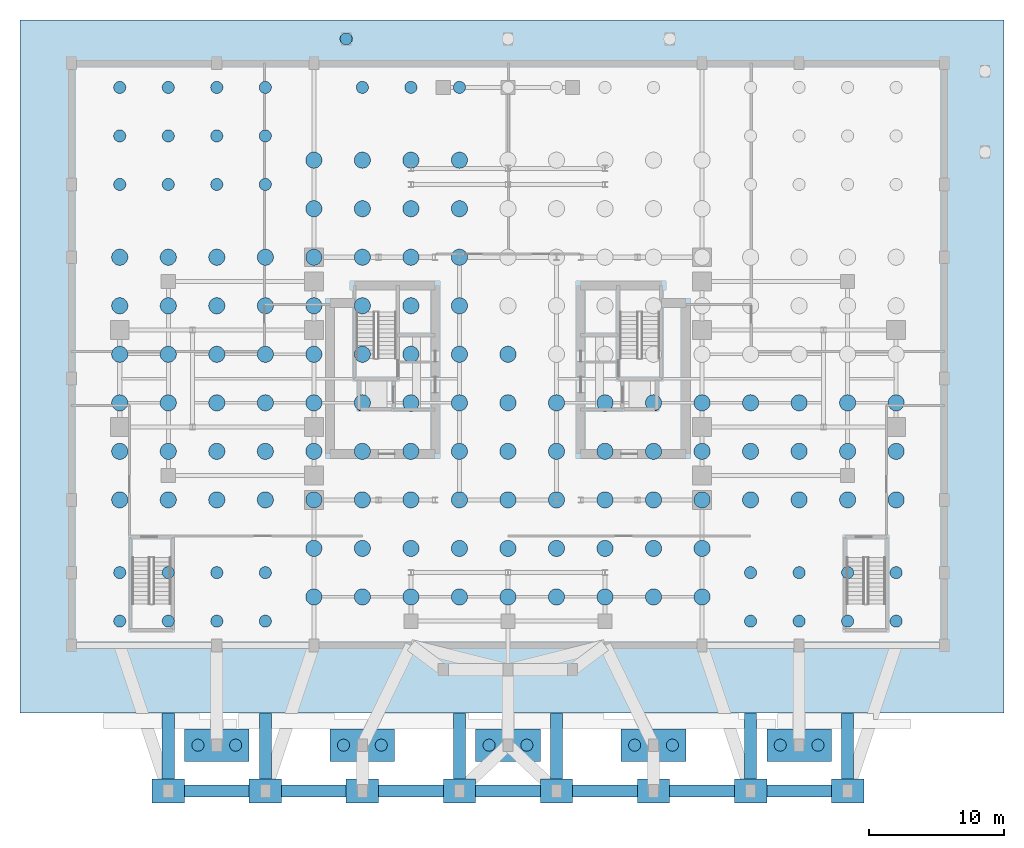
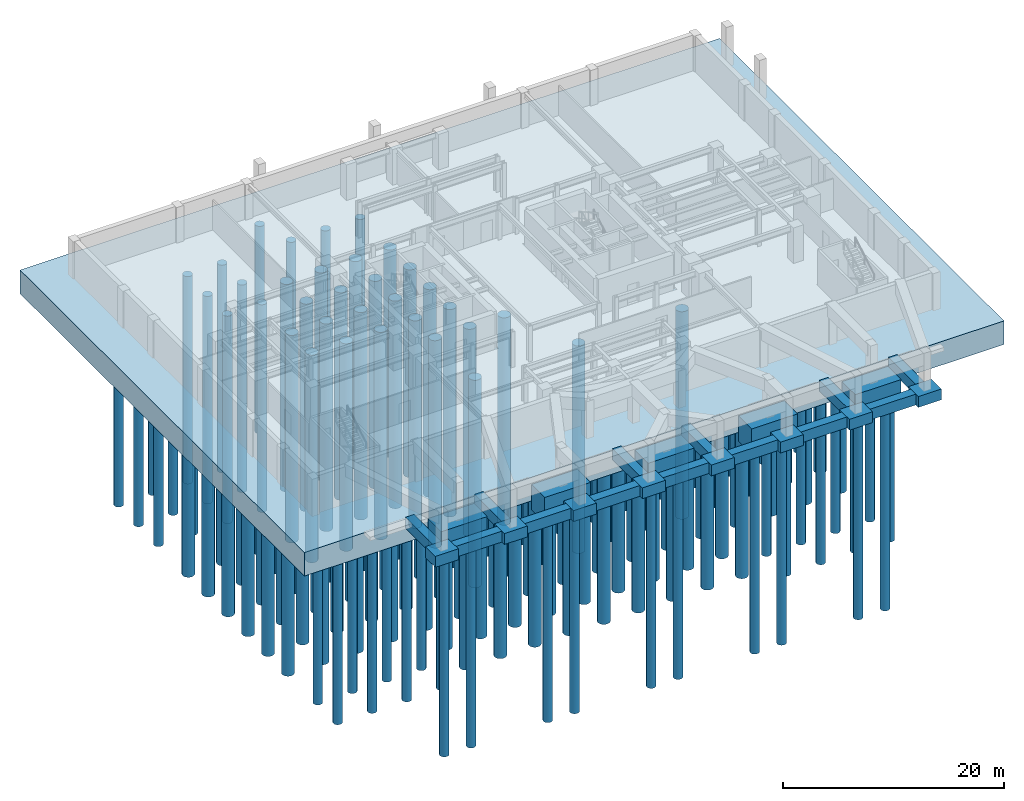
# One storey, part 1 of 13: 144 piles, 27 footings.
"""IFC4 building model written with IfcOpenShell, lengths in metres."""

from ifc_helpers import new_model, si_unit, direction, frame, origin, origin_2d, place, context, subcontext, project, spatial, polyline, rectangle, circle, outline, extrude, source, transform, mapped, material, layer, layer_set, material_profile, profile_set, type_object, element, save


model = new_model("IFC4")

# Units and contexts
model_context = context("Model", 3, precision=1e-05, world=origin(), true_north=direction((0.0, 1.0)))
body_context = subcontext(model_context, "Body", "Model", "MODEL_VIEW")
ifc_project = project(units=[si_unit("LENGTHUNIT", "METRE"), si_unit("AREAUNIT", "SQUARE_METRE"), si_unit("VOLUMEUNIT", "CUBIC_METRE"), si_unit("PLANEANGLEUNIT", "RADIAN"), si_unit("MASSUNIT", "GRAM", prefix="KILO")], contexts=[model_context])

# Site, building, storey
site_placement = place(None, origin())
site = spatial("IfcSite", under=ifc_project, at=site_placement, CompositionType="ELEMENT")
building_placement = place(site_placement, origin())
building = spatial("IfcBuilding", under=site, at=building_placement, Name="Keilestroom Media Tower", CompositionType="ELEMENT")
storey_placement = place(building_placement, frame((0.0, 0.0, -8.39990234375)))
storey = spatial("IfcBuildingStorey", under=building, at=storey_placement, Name="B2", CompositionType="ELEMENT", Elevation=-8.39990234375)

# Footings
ifc_material_1 = material(Name="Concrete C45/55", Category="concrete")
ifc_layer_1 = layer(ifc_material_1, 1.199951171875)
ifc_layer_set_1 = layer_set([ifc_layer_1], Name="Concrete C45/55")
footing_type_1 = type_object("IfcFootingType", Name="Pad-Footing-Quay-1200", PredefinedType="PAD_FOOTING", material=ifc_layer_set_1)
footing_1_placement = place(storey_placement, frame((0.0, 0.0, -1.2001953125)))
element("IfcFooting", 1, at=footing_1_placement, inside=storey, type_object=footing_type_1, Name="B2 Quay Colonnade Pad Footing PF-S01", PredefinedType="PAD_FOOTING", context=body_context, shape_type="SweptSolid", body=[
    extrude(outline(polyline([(-26.39990234375, -31.5), (-24.0, -31.5), (-24.0, -29.699951171875), (-26.39990234375, -29.699951171875), (-26.39990234375, -31.5)])), origin(), (0.0, 0.0, 1.0), 1.2001953125),
])
footing_2_placement = place(storey_placement, frame((0.0, 0.0, -1.2001953125)))
element("IfcFooting", 2, at=footing_2_placement, inside=storey, type_object=footing_type_1, Name="B2 Quay Colonnade Pad Footing PF-S02", PredefinedType="PAD_FOOTING", context=body_context, shape_type="SweptSolid", body=[
    extrude(outline(polyline([(-19.199951171875, -31.5), (-16.800048828125, -31.5), (-16.800048828125, -29.699951171875), (-19.199951171875, -29.699951171875), (-19.199951171875, -31.5)])), origin(), (0.0, 0.0, 1.0), 1.2001953125),
])
footing_3_placement = place(storey_placement, frame((0.0, 0.0, -1.2001953125)))
element("IfcFooting", 3, at=footing_3_placement, inside=storey, type_object=footing_type_1, Name="B2 Quay Colonnade Pad Footing PF-S03", PredefinedType="PAD_FOOTING", context=body_context, shape_type="SweptSolid", body=[
    extrude(outline(polyline([(-12.0, -31.5), (-9.60009765625, -31.5), (-9.60009765625, -29.699951171875), (-12.0, -29.699951171875), (-12.0, -31.5)])), origin(), (0.0, 0.0, 1.0), 1.2001953125),
])
footing_4_placement = place(storey_placement, frame((0.0, 0.0, -1.2001953125)))
element("IfcFooting", 4, at=footing_4_placement, inside=storey, type_object=footing_type_1, Name="B2 Quay Colonnade Pad Footing PF-S04", PredefinedType="PAD_FOOTING", context=body_context, shape_type="SweptSolid", body=[
    extrude(outline(polyline([(-4.800048828125, -31.5), (-2.39990234375, -31.5), (-2.39990234375, -29.699951171875), (-4.800048828125, -29.699951171875), (-4.800048828125, -31.5)])), origin(), (0.0, 0.0, 1.0), 1.2001953125),
])
footing_5_placement = place(storey_placement, frame((0.0, 0.0, -1.2001953125)))
element("IfcFooting", 5, at=footing_5_placement, inside=storey, type_object=footing_type_1, Name="B2 Quay Colonnade Pad Footing PF-S05", PredefinedType="PAD_FOOTING", context=body_context, shape_type="SweptSolid", body=[
    extrude(outline(polyline([(2.39990234375, -31.5), (4.800048828125, -31.5), (4.800048828125, -29.699951171875), (2.39990234375, -29.699951171875), (2.39990234375, -31.5)])), origin(), (0.0, 0.0, 1.0), 1.2001953125),
])
footing_6_placement = place(storey_placement, frame((0.0, 0.0, -1.2001953125)))
element("IfcFooting", 6, at=footing_6_placement, inside=storey, type_object=footing_type_1, Name="B2 Quay Colonnade Pad Footing PF-S06", PredefinedType="PAD_FOOTING", context=body_context, shape_type="SweptSolid", body=[
    extrude(outline(polyline([(9.60009765625, -31.5), (12.0, -31.5), (12.0, -29.699951171875), (9.60009765625, -29.699951171875), (9.60009765625, -31.5)])), origin(), (0.0, 0.0, 1.0), 1.2001953125),
])
footing_7_placement = place(storey_placement, frame((0.0, 0.0, -1.2001953125)))
element("IfcFooting", 7, at=footing_7_placement, inside=storey, type_object=footing_type_1, Name="B2 Quay Colonnade Pad Footing PF-S07", PredefinedType="PAD_FOOTING", context=body_context, shape_type="SweptSolid", body=[
    extrude(outline(polyline([(16.800048828125, -31.5), (19.199951171875, -31.5), (19.199951171875, -29.699951171875), (16.800048828125, -29.699951171875), (16.800048828125, -31.5)])), origin(), (0.0, 0.0, 1.0), 1.2001953125),
])
footing_8_placement = place(storey_placement, frame((0.0, 0.0, -1.2001953125)))
element("IfcFooting", 8, at=footing_8_placement, inside=storey, type_object=footing_type_1, Name="B2 Quay Colonnade Pad Footing PF-S08", PredefinedType="PAD_FOOTING", context=body_context, shape_type="SweptSolid", body=[
    extrude(outline(polyline([(24.0, -31.5), (26.39990234375, -31.5), (26.39990234375, -29.699951171875), (24.0, -29.699951171875), (24.0, -31.5)])), origin(), (0.0, 0.0, 1.0), 1.2001953125),
])
ifc_material_2 = material(Name="Concrete C55/67", Category="concrete")
ifc_layer_2 = layer(ifc_material_2, 2.60009765625)
ifc_layer_set_2 = layer_set([ifc_layer_2], Name="Concrete C55/67")
footing_type_2 = type_object("IfcFootingType", Name="Piled-Raft-And-Pile-Cap-Footing-2600", PredefinedType="PILE_CAP", material=ifc_layer_set_2)
footing_9_placement = place(storey_placement, frame((0.0, 0.0, -2.800048828125)))
element("IfcFooting", 9, at=footing_9_placement, inside=storey, type_object=footing_type_2, Name="B2 Unified Piled Raft PC-RAFT", PredefinedType="PILE_CAP", context=body_context, shape_type="SweptSolid", body=[
    extrude(outline(polyline([(-36.199951171875, -24.800048828125), (36.800048828125, -24.800048828125), (36.800048828125, 26.60009765625), (-36.199951171875, 26.60009765625), (-36.199951171875, -24.800048828125)])), origin(), (0.0, 0.0, 1.0), 2.599853515625),
])
ifc_layer_3 = layer(ifc_material_1, 2.800048828125)
ifc_layer_set_3 = layer_set([ifc_layer_3], Name="Concrete C45/55")
footing_type_3 = type_object("IfcFootingType", Name="Piled-Raft-And-Pile-Cap-Footing-North-2800", PredefinedType="PILE_CAP", material=ifc_layer_set_3)
footing_10_placement = place(storey_placement, frame((0.0, 0.0, -2.800048828125)))
element("IfcFooting", 10, at=footing_10_placement, inside=storey, type_object=footing_type_3, Name="B2 Quay Apron Pile Cap PC-Q01", PredefinedType="PILE_CAP", context=body_context, shape_type="SweptSolid", body=[
    extrude(outline(polyline([(-24.0, -28.39990234375), (-19.199951171875, -28.39990234375), (-19.199951171875, -26.0), (-24.0, -26.0), (-24.0, -28.39990234375)])), origin(), (0.0, 0.0, 1.0), 2.800048828125),
])
footing_11_placement = place(storey_placement, frame((0.0, 0.0, -2.800048828125)))
element("IfcFooting", 11, at=footing_11_placement, inside=storey, type_object=footing_type_3, Name="B2 Quay Apron Pile Cap PC-Q02", PredefinedType="PILE_CAP", context=body_context, shape_type="SweptSolid", body=[
    extrude(outline(polyline([(-13.199951171875, -28.39990234375), (-8.39990234375, -28.39990234375), (-8.39990234375, -26.0), (-13.199951171875, -26.0), (-13.199951171875, -28.39990234375)])), origin(), (0.0, 0.0, 1.0), 2.800048828125),
])
footing_12_placement = place(storey_placement, frame((0.0, 0.0, -2.800048828125)))
element("IfcFooting", 12, at=footing_12_placement, inside=storey, type_object=footing_type_3, Name="B2 Quay Apron Pile Cap PC-Q03", PredefinedType="PILE_CAP", context=body_context, shape_type="SweptSolid", body=[
    extrude(outline(polyline([(-2.39990234375, -28.39990234375), (2.39990234375, -28.39990234375), (2.39990234375, -26.0), (-2.39990234375, -26.0), (-2.39990234375, -28.39990234375)])), origin(), (0.0, 0.0, 1.0), 2.800048828125),
])
footing_13_placement = place(storey_placement, frame((0.0, 0.0, -2.800048828125)))
element("IfcFooting", 13, at=footing_13_placement, inside=storey, type_object=footing_type_3, Name="B2 Quay Apron Pile Cap PC-Q04", PredefinedType="PILE_CAP", context=body_context, shape_type="SweptSolid", body=[
    extrude(outline(polyline([(8.39990234375, -28.39990234375), (13.199951171875, -28.39990234375), (13.199951171875, -26.0), (8.39990234375, -26.0), (8.39990234375, -28.39990234375)])), origin(), (0.0, 0.0, 1.0), 2.800048828125),
])
footing_14_placement = place(storey_placement, frame((0.0, 0.0, -2.800048828125)))
element("IfcFooting", 14, at=footing_14_placement, inside=storey, type_object=footing_type_3, Name="B2 Quay Apron Pile Cap PC-Q05", PredefinedType="PILE_CAP", context=body_context, shape_type="SweptSolid", body=[
    extrude(outline(polyline([(19.199951171875, -28.39990234375), (24.0, -28.39990234375), (24.0, -26.0), (19.199951171875, -26.0), (19.199951171875, -28.39990234375)])), origin(), (0.0, 0.0, 1.0), 2.800048828125),
])
ifc_material_profile_1 = material_profile(ifc_material_2, rectangle(XDim=0.89990234375, YDim=1.199951171875, at=origin_2d()), Name="GB 900x1200")
ifc_profile_set_1 = profile_set([ifc_material_profile_1], Name="Concrete C55/67")
footing_type_4 = type_object("IfcFootingType", Name="Foundation-Grade-Beam-900x1200", PredefinedType="FOOTING_BEAM", material=ifc_profile_set_1)
shared_shape_1 = source(origin(), body_context, "Body", "SweptSolid", [
    extrude(rectangle(XDim=0.89990234375, YDim=1.199951171875, at=origin_2d()), origin(), (0.0, 0.0, 1.0), 4.89990234375),
])
for number, where, z_axis, x_axis, name in (
    (15, (-25.199951171875, -29.699951171875, -0.60009765625), (0.0, 1.0, 0.0), (-1.0, 0.0, 0.0), "B2 Foundation Grade Beam GB-01"),
    (16, (-18.0, -29.699951171875, -0.60009765625), (0.0, 1.0, 0.0), (-1.0, 0.0, 0.0), "B2 Foundation Grade Beam GB-02"),
    (17, (-3.60009765625, -29.699951171875, -0.60009765625), (0.0, 1.0, 0.0), (-1.0, 0.0, 0.0), "B2 Foundation Grade Beam GB-03"),
    (18, (3.60009765625, -29.699951171875, -0.60009765625), (0.0, 1.0, 0.0), (-1.0, 0.0, 0.0), "B2 Foundation Grade Beam GB-04"),
    (19, (18.0, -29.699951171875, -0.60009765625), (0.0, 1.0, 0.0), (-1.0, 0.0, 0.0), "B2 Foundation Grade Beam GB-05"),
    (20, (25.199951171875, -29.699951171875, -0.60009765625), (0.0, 1.0, 0.0), (-1.0, 0.0, 0.0), "B2 Foundation Grade Beam GB-06"),
):
    element("IfcFooting", number, at=place(storey_placement, frame(where, z_axis=z_axis, x_axis=x_axis)), inside=storey, type_object=footing_type_4, Name=name, PredefinedType="FOOTING_BEAM", context=body_context, shape_type="MappedRepresentation", body=[
        mapped(shared_shape_1, transform((0.0, 0.0, 0.0), x_axis=(1.0, 0.0, 0.0), y_axis=(0.0, 1.0, 0.0), z_axis=(0.0, 0.0, 1.0), scale=1.0)),
    ])
shared_shape_2 = source(origin(), body_context, "Body", "SweptSolid", [
    extrude(rectangle(XDim=0.89990234375, YDim=1.199951171875, at=origin_2d()), origin(), (0.0, 0.0, 1.0), 4.800048828125),
])
for number, where, z_axis, x_axis, name in (
    (21, (-24.0, -30.60009765625, -0.60009765625), (1.0, 0.0, 0.0), (0.0, 1.0, 0.0), "B2 Foundation Grade Beam GB-07"),
    (22, (-16.800048828125, -30.60009765625, -0.60009765625), (1.0, 0.0, 0.0), (0.0, 1.0, 0.0), "B2 Foundation Grade Beam GB-08"),
    (23, (-9.60009765625, -30.60009765625, -0.60009765625), (1.0, 0.0, 0.0), (0.0, 1.0, 0.0), "B2 Foundation Grade Beam GB-09"),
    (24, (4.800048828125, -30.60009765625, -0.60009765625), (1.0, 0.0, 0.0), (0.0, 1.0, 0.0), "B2 Foundation Grade Beam GB-11"),
    (25, (12.0, -30.60009765625, -0.60009765625), (1.0, 0.0, 0.0), (0.0, 1.0, 0.0), "B2 Foundation Grade Beam GB-12"),
    (26, (19.199951171875, -30.60009765625, -0.60009765625), (1.0, 0.0, 0.0), (0.0, 1.0, 0.0), "B2 Foundation Grade Beam GB-13"),
):
    element("IfcFooting", number, at=place(storey_placement, frame(where, z_axis=z_axis, x_axis=x_axis)), inside=storey, type_object=footing_type_4, Name=name, PredefinedType="FOOTING_BEAM", context=body_context, shape_type="MappedRepresentation", body=[
        mapped(shared_shape_2, transform((0.0, 0.0, 0.0), x_axis=(1.0, 0.0, 0.0), y_axis=(0.0, 1.0, 0.0), z_axis=(0.0, 0.0, 1.0), scale=1.0)),
    ])
shared_shape_3 = source(origin(), body_context, "Body", "SweptSolid", [
    extrude(rectangle(XDim=0.89990234375, YDim=1.199951171875, at=origin_2d()), origin(), (0.0, 0.0, 1.0), 4.7998046875),
])
footing_15_placement = place(storey_placement, frame((-2.39990234375, -30.60009765625, -0.60009765625), z_axis=(1.0, 0.0, 0.0), x_axis=(0.0, 1.0, 0.0)))
element("IfcFooting", 27, at=footing_15_placement, inside=storey, type_object=footing_type_4, Name="B2 Foundation Grade Beam GB-10", PredefinedType="FOOTING_BEAM", context=body_context, shape_type="MappedRepresentation", body=[
    mapped(shared_shape_3, transform((0.0, 0.0, 0.0), x_axis=(1.0, 0.0, 0.0), y_axis=(0.0, 1.0, 0.0), z_axis=(0.0, 0.0, 1.0), scale=1.0)),
])

# Piles
ifc_material_profile_2 = material_profile(ifc_material_1, circle(Radius=0.60009765625, at=origin_2d()), Name="BORED PILE D1200")
ifc_profile_set_2 = profile_set([ifc_material_profile_2], Name="Concrete C45/55")
pile_type_1 = type_object("IfcPileType", Name="Bored-Foundation-Pile-D1200", PredefinedType="BORED", material=ifc_profile_set_2)
shared_shape_4 = source(origin(), body_context, "Body", "SweptSolid", [
    extrude(circle(Radius=0.60009765625, at=origin_2d()), origin(), (0.0, 0.0, 1.0), 22.89990234375),
])
for number, where, z_axis, x_axis, name in (
    (28, (-28.800048828125, -9.0, -2.7001953125), (0.0, 0.0, -1.0), (1.0, 0.0, 0.0), "B2 Bored Pile D1200 001"),
    (29, (-28.800048828125, -5.39990234375, -2.7001953125), (0.0, 0.0, -1.0), (1.0, 0.0, 0.0), "B2 Bored Pile D1200 002"),
    (30, (-28.800048828125, -1.800048828125, -2.7001953125), (0.0, 0.0, -1.0), (1.0, 0.0, 0.0), "B2 Bored Pile D1200 003"),
    (31, (-28.800048828125, 1.800048828125, -2.7001953125), (0.0, 0.0, -1.0), (1.0, 0.0, 0.0), "B2 Bored Pile D1200 004"),
    (32, (-28.800048828125, 5.39990234375, -2.7001953125), (0.0, 0.0, -1.0), (1.0, 0.0, 0.0), "B2 Bored Pile D1200 005"),
    (33, (-28.800048828125, 9.0, -2.7001953125), (0.0, 0.0, -1.0), (1.0, 0.0, 0.0), "B2 Bored Pile D1200 006"),
    (34, (-25.199951171875, -9.0, -2.7001953125), (0.0, 0.0, -1.0), (1.0, 0.0, 0.0), "B2 Bored Pile D1200 007"),
    (35, (-25.199951171875, -5.39990234375, -2.7001953125), (0.0, 0.0, -1.0), (1.0, 0.0, 0.0), "B2 Bored Pile D1200 008"),
    (36, (-25.199951171875, -1.800048828125, -2.7001953125), (0.0, 0.0, -1.0), (1.0, 0.0, 0.0), "B2 Bored Pile D1200 009"),
    (37, (-25.199951171875, 1.800048828125, -2.7001953125), (0.0, 0.0, -1.0), (1.0, 0.0, 0.0), "B2 Bored Pile D1200 010"),
    (38, (-25.199951171875, 5.39990234375, -2.7001953125), (0.0, 0.0, -1.0), (1.0, 0.0, 0.0), "B2 Bored Pile D1200 011"),
    (39, (-25.199951171875, 9.0, -2.7001953125), (0.0, 0.0, -1.0), (1.0, 0.0, 0.0), "B2 Bored Pile D1200 012"),
    (40, (-21.60009765625, -9.0, -2.7001953125), (0.0, 0.0, -1.0), (1.0, 0.0, 0.0), "B2 Bored Pile D1200 013"),
    (41, (-21.60009765625, -5.39990234375, -2.7001953125), (0.0, 0.0, -1.0), (1.0, 0.0, 0.0), "B2 Bored Pile D1200 014"),
    (42, (-21.60009765625, -1.800048828125, -2.7001953125), (0.0, 0.0, -1.0), (1.0, 0.0, 0.0), "B2 Bored Pile D1200 015"),
    (43, (-21.60009765625, 1.800048828125, -2.7001953125), (0.0, 0.0, -1.0), (1.0, 0.0, 0.0), "B2 Bored Pile D1200 016"),
    (44, (-21.60009765625, 5.39990234375, -2.7001953125), (0.0, 0.0, -1.0), (1.0, 0.0, 0.0), "B2 Bored Pile D1200 017"),
    (45, (-21.60009765625, 9.0, -2.7001953125), (0.0, 0.0, -1.0), (1.0, 0.0, 0.0), "B2 Bored Pile D1200 018"),
    (46, (-18.0, -9.0, -2.7001953125), (0.0, 0.0, -1.0), (1.0, 0.0, 0.0), "B2 Bored Pile D1200 019"),
    (47, (-18.0, -5.39990234375, -2.7001953125), (0.0, 0.0, -1.0), (1.0, 0.0, 0.0), "B2 Bored Pile D1200 020"),
    (48, (-18.0, -1.800048828125, -2.7001953125), (0.0, 0.0, -1.0), (1.0, 0.0, 0.0), "B2 Bored Pile D1200 021"),
    (49, (-18.0, 1.800048828125, -2.7001953125), (0.0, 0.0, -1.0), (1.0, 0.0, 0.0), "B2 Bored Pile D1200 022"),
    (50, (-18.0, 5.39990234375, -2.7001953125), (0.0, 0.0, -1.0), (1.0, 0.0, 0.0), "B2 Bored Pile D1200 023"),
    (51, (-18.0, 9.0, -2.7001953125), (0.0, 0.0, -1.0), (1.0, 0.0, 0.0), "B2 Bored Pile D1200 024"),
    (52, (-14.39990234375, -16.199951171875, -2.7001953125), (0.0, 0.0, -1.0), (1.0, 0.0, 0.0), "B2 Bored Pile D1200 025"),
    (53, (-14.39990234375, -12.60009765625, -2.7001953125), (0.0, 0.0, -1.0), (1.0, 0.0, 0.0), "B2 Bored Pile D1200 026"),
    (54, (-14.39990234375, -9.0, -2.7001953125), (0.0, 0.0, -1.0), (1.0, 0.0, 0.0), "B2 Bored Pile D1200 027"),
    (55, (-14.39990234375, -5.39990234375, -2.7001953125), (0.0, 0.0, -1.0), (1.0, 0.0, 0.0), "B2 Bored Pile D1200 028"),
    (56, (-14.39990234375, -1.800048828125, -2.7001953125), (0.0, 0.0, -1.0), (1.0, 0.0, 0.0), "B2 Bored Pile D1200 029"),
    (57, (-14.39990234375, 1.800048828125, -2.7001953125), (0.0, 0.0, -1.0), (1.0, 0.0, 0.0), "B2 Bored Pile D1200 030"),
    (58, (-14.39990234375, 5.39990234375, -2.7001953125), (0.0, 0.0, -1.0), (1.0, 0.0, 0.0), "B2 Bored Pile D1200 031"),
    (59, (-14.39990234375, 9.0, -2.7001953125), (0.0, 0.0, -1.0), (1.0, 0.0, 0.0), "B2 Bored Pile D1200 032"),
    (60, (-14.39990234375, 12.60009765625, -2.7001953125), (0.0, 0.0, -1.0), (1.0, 0.0, 0.0), "B2 Bored Pile D1200 033"),
    (61, (-14.39990234375, 16.199951171875, -2.7001953125), (0.0, 0.0, -1.0), (1.0, 0.0, 0.0), "B2 Bored Pile D1200 034"),
    (62, (-10.800048828125, -16.199951171875, -2.7001953125), (0.0, 0.0, -1.0), (1.0, 0.0, 0.0), "B2 Bored Pile D1200 035"),
    (63, (-10.800048828125, -12.60009765625, -2.7001953125), (0.0, 0.0, -1.0), (1.0, 0.0, 0.0), "B2 Bored Pile D1200 036"),
    (64, (-10.800048828125, -9.0, -2.7001953125), (0.0, 0.0, -1.0), (1.0, 0.0, 0.0), "B2 Bored Pile D1200 037"),
    (65, (-10.800048828125, -5.39990234375, -2.7001953125), (0.0, 0.0, -1.0), (1.0, 0.0, 0.0), "B2 Bored Pile D1200 038"),
    (66, (-10.800048828125, -1.800048828125, -2.7001953125), (0.0, 0.0, -1.0), (1.0, 0.0, 0.0), "B2 Bored Pile D1200 039"),
    (67, (-10.800048828125, 1.800048828125, -2.7001953125), (0.0, 0.0, -1.0), (1.0, 0.0, 0.0), "B2 Bored Pile D1200 040"),
    (68, (-10.800048828125, 5.39990234375, -2.7001953125), (0.0, 0.0, -1.0), (1.0, 0.0, 0.0), "B2 Bored Pile D1200 041"),
    (69, (-10.800048828125, 9.0, -2.7001953125), (0.0, 0.0, -1.0), (1.0, 0.0, 0.0), "B2 Bored Pile D1200 042"),
    (70, (-10.800048828125, 12.60009765625, -2.7001953125), (0.0, 0.0, -1.0), (1.0, 0.0, 0.0), "B2 Bored Pile D1200 043"),
    (71, (-10.800048828125, 16.199951171875, -2.7001953125), (0.0, 0.0, -1.0), (1.0, 0.0, 0.0), "B2 Bored Pile D1200 044"),
    (72, (-7.199951171875, -16.199951171875, -2.7001953125), (0.0, 0.0, -1.0), (1.0, 0.0, 0.0), "B2 Bored Pile D1200 045"),
    (73, (-7.199951171875, -12.60009765625, -2.7001953125), (0.0, 0.0, -1.0), (1.0, 0.0, 0.0), "B2 Bored Pile D1200 046"),
    (74, (-7.199951171875, -9.0, -2.7001953125), (0.0, 0.0, -1.0), (1.0, 0.0, 0.0), "B2 Bored Pile D1200 047"),
    (75, (-7.199951171875, -5.39990234375, -2.7001953125), (0.0, 0.0, -1.0), (1.0, 0.0, 0.0), "B2 Bored Pile D1200 048"),
    (76, (-7.199951171875, -1.800048828125, -2.7001953125), (0.0, 0.0, -1.0), (1.0, 0.0, 0.0), "B2 Bored Pile D1200 049"),
    (77, (-7.199951171875, 1.800048828125, -2.7001953125), (0.0, 0.0, -1.0), (1.0, 0.0, 0.0), "B2 Bored Pile D1200 050"),
    (78, (-7.199951171875, 5.39990234375, -2.7001953125), (0.0, 0.0, -1.0), (1.0, 0.0, 0.0), "B2 Bored Pile D1200 051"),
    (79, (-7.199951171875, 9.0, -2.7001953125), (0.0, 0.0, -1.0), (1.0, 0.0, 0.0), "B2 Bored Pile D1200 052"),
    (80, (-7.199951171875, 12.60009765625, -2.7001953125), (0.0, 0.0, -1.0), (1.0, 0.0, 0.0), "B2 Bored Pile D1200 053"),
    (81, (-7.199951171875, 16.199951171875, -2.7001953125), (0.0, 0.0, -1.0), (1.0, 0.0, 0.0), "B2 Bored Pile D1200 054"),
    (82, (-3.60009765625, -16.199951171875, -2.7001953125), (0.0, 0.0, -1.0), (1.0, 0.0, 0.0), "B2 Bored Pile D1200 055"),
    (83, (-3.60009765625, -12.60009765625, -2.7001953125), (0.0, 0.0, -1.0), (1.0, 0.0, 0.0), "B2 Bored Pile D1200 056"),
    (84, (-3.60009765625, -9.0, -2.7001953125), (0.0, 0.0, -1.0), (1.0, 0.0, 0.0), "B2 Bored Pile D1200 057"),
    (85, (-3.60009765625, -5.39990234375, -2.7001953125), (0.0, 0.0, -1.0), (1.0, 0.0, 0.0), "B2 Bored Pile D1200 058"),
    (86, (-3.60009765625, -1.800048828125, -2.7001953125), (0.0, 0.0, -1.0), (1.0, 0.0, 0.0), "B2 Bored Pile D1200 059"),
    (87, (-3.60009765625, 1.800048828125, -2.7001953125), (0.0, 0.0, -1.0), (1.0, 0.0, 0.0), "B2 Bored Pile D1200 060"),
    (88, (-3.60009765625, 5.39990234375, -2.7001953125), (0.0, 0.0, -1.0), (1.0, 0.0, 0.0), "B2 Bored Pile D1200 061"),
    (89, (-3.60009765625, 9.0, -2.7001953125), (0.0, 0.0, -1.0), (1.0, 0.0, 0.0), "B2 Bored Pile D1200 062"),
    (90, (-3.60009765625, 12.60009765625, -2.7001953125), (0.0, 0.0, -1.0), (1.0, 0.0, 0.0), "B2 Bored Pile D1200 063"),
    (91, (-3.60009765625, 16.199951171875, -2.7001953125), (0.0, 0.0, -1.0), (1.0, 0.0, 0.0), "B2 Bored Pile D1200 064"),
    (92, (0.0, -16.199951171875, -2.7001953125), (0.0, 0.0, -1.0), (1.0, 0.0, 0.0), "B2 Bored Pile D1200 065"),
    (93, (0.0, -12.60009765625, -2.7001953125), (0.0, 0.0, -1.0), (1.0, 0.0, 0.0), "B2 Bored Pile D1200 066"),
    (94, (0.0, -9.0, -2.7001953125), (0.0, 0.0, -1.0), (1.0, 0.0, 0.0), "B2 Bored Pile D1200 067"),
    (95, (0.0, -5.39990234375, -2.7001953125), (0.0, 0.0, -1.0), (1.0, 0.0, 0.0), "B2 Bored Pile D1200 068"),
    (96, (0.0, -1.800048828125, -2.7001953125), (0.0, 0.0, -1.0), (1.0, 0.0, 0.0), "B2 Bored Pile D1200 069"),
    (97, (0.0, 1.800048828125, -2.7001953125), (0.0, 0.0, -1.0), (1.0, 0.0, 0.0), "B2 Bored Pile D1200 070"),
    (98, (3.60009765625, -16.199951171875, -2.7001953125), (0.0, 0.0, -1.0), (1.0, 0.0, 0.0), "B2 Bored Pile D1200 075"),
    (99, (3.60009765625, -12.60009765625, -2.7001953125), (0.0, 0.0, -1.0), (1.0, 0.0, 0.0), "B2 Bored Pile D1200 076"),
    (100, (3.60009765625, -9.0, -2.7001953125), (0.0, 0.0, -1.0), (1.0, 0.0, 0.0), "B2 Bored Pile D1200 077"),
    (101, (3.60009765625, -5.39990234375, -2.7001953125), (0.0, 0.0, -1.0), (1.0, 0.0, 0.0), "B2 Bored Pile D1200 078"),
    (102, (3.60009765625, -1.800048828125, -2.7001953125), (0.0, 0.0, -1.0), (1.0, 0.0, 0.0), "B2 Bored Pile D1200 079"),
    (103, (7.199951171875, -16.199951171875, -2.7001953125), (0.0, 0.0, -1.0), (1.0, 0.0, 0.0), "B2 Bored Pile D1200 085"),
    (104, (7.199951171875, -12.60009765625, -2.7001953125), (0.0, 0.0, -1.0), (1.0, 0.0, 0.0), "B2 Bored Pile D1200 086"),
    (105, (7.199951171875, -9.0, -2.7001953125), (0.0, 0.0, -1.0), (1.0, 0.0, 0.0), "B2 Bored Pile D1200 087"),
    (106, (7.199951171875, -5.39990234375, -2.7001953125), (0.0, 0.0, -1.0), (1.0, 0.0, 0.0), "B2 Bored Pile D1200 088"),
    (107, (7.199951171875, -1.800048828125, -2.7001953125), (0.0, 0.0, -1.0), (1.0, 0.0, 0.0), "B2 Bored Pile D1200 089"),
    (108, (10.800048828125, -16.199951171875, -2.7001953125), (0.0, 0.0, -1.0), (1.0, 0.0, 0.0), "B2 Bored Pile D1200 095"),
    (109, (10.800048828125, -12.60009765625, -2.7001953125), (0.0, 0.0, -1.0), (1.0, 0.0, 0.0), "B2 Bored Pile D1200 096"),
    (110, (10.800048828125, -9.0, -2.7001953125), (0.0, 0.0, -1.0), (1.0, 0.0, 0.0), "B2 Bored Pile D1200 097"),
    (111, (10.800048828125, -5.39990234375, -2.7001953125), (0.0, 0.0, -1.0), (1.0, 0.0, 0.0), "B2 Bored Pile D1200 098"),
    (112, (10.800048828125, -1.800048828125, -2.7001953125), (0.0, 0.0, -1.0), (1.0, 0.0, 0.0), "B2 Bored Pile D1200 099"),
    (113, (14.39990234375, -16.199951171875, -2.7001953125), (0.0, 0.0, -1.0), (1.0, 0.0, 0.0), "B2 Bored Pile D1200 105"),
    (114, (14.39990234375, -12.60009765625, -2.7001953125), (0.0, 0.0, -1.0), (1.0, 0.0, 0.0), "B2 Bored Pile D1200 106"),
    (115, (14.39990234375, -9.0, -2.7001953125), (0.0, 0.0, -1.0), (1.0, 0.0, 0.0), "B2 Bored Pile D1200 107"),
    (116, (14.39990234375, -5.39990234375, -2.7001953125), (0.0, 0.0, -1.0), (1.0, 0.0, 0.0), "B2 Bored Pile D1200 108"),
    (117, (14.39990234375, -1.800048828125, -2.7001953125), (0.0, 0.0, -1.0), (1.0, 0.0, 0.0), "B2 Bored Pile D1200 109"),
    (118, (18.0, -9.0, -2.7001953125), (0.0, 0.0, -1.0), (1.0, 0.0, 0.0), "B2 Bored Pile D1200 115"),
    (119, (18.0, -5.39990234375, -2.7001953125), (0.0, 0.0, -1.0), (1.0, 0.0, 0.0), "B2 Bored Pile D1200 116"),
    (120, (18.0, -1.800048828125, -2.7001953125), (0.0, 0.0, -1.0), (1.0, 0.0, 0.0), "B2 Bored Pile D1200 117"),
    (121, (21.60009765625, -9.0, -2.7001953125), (0.0, 0.0, -1.0), (1.0, 0.0, 0.0), "B2 Bored Pile D1200 121"),
    (122, (21.60009765625, -5.39990234375, -2.7001953125), (0.0, 0.0, -1.0), (1.0, 0.0, 0.0), "B2 Bored Pile D1200 122"),
    (123, (21.60009765625, -1.800048828125, -2.7001953125), (0.0, 0.0, -1.0), (1.0, 0.0, 0.0), "B2 Bored Pile D1200 123"),
    (124, (25.199951171875, -9.0, -2.7001953125), (0.0, 0.0, -1.0), (1.0, 0.0, 0.0), "B2 Bored Pile D1200 127"),
    (125, (25.199951171875, -5.39990234375, -2.7001953125), (0.0, 0.0, -1.0), (1.0, 0.0, 0.0), "B2 Bored Pile D1200 128"),
    (126, (25.199951171875, -1.800048828125, -2.7001953125), (0.0, 0.0, -1.0), (1.0, 0.0, 0.0), "B2 Bored Pile D1200 129"),
    (127, (28.800048828125, -9.0, -2.7001953125), (0.0, 0.0, -1.0), (1.0, 0.0, 0.0), "B2 Bored Pile D1200 133"),
    (128, (28.800048828125, -5.39990234375, -2.7001953125), (0.0, 0.0, -1.0), (1.0, 0.0, 0.0), "B2 Bored Pile D1200 134"),
    (129, (28.800048828125, -1.800048828125, -2.7001953125), (0.0, 0.0, -1.0), (1.0, 0.0, 0.0), "B2 Bored Pile D1200 135"),
):
    element("IfcPile", number, at=place(storey_placement, frame(where, z_axis=z_axis, x_axis=x_axis)), inside=storey, type_object=pile_type_1, Name=name, PredefinedType="BORED", context=body_context, shape_type="MappedRepresentation", body=[
        mapped(shared_shape_4, transform((0.0, 0.0, 0.0), x_axis=(1.0, 0.0, 0.0), y_axis=(0.0, 1.0, 0.0), z_axis=(0.0, 0.0, 1.0), scale=1.0)),
    ])
ifc_material_profile_3 = material_profile(ifc_material_1, circle(Radius=0.449951171875, at=origin_2d()), Name="BORED PILE D900")
ifc_profile_set_3 = profile_set([ifc_material_profile_3], Name="Concrete C45/55")
pile_type_2 = type_object("IfcPileType", Name="Bored-Foundation-Pile-D900", PredefinedType="BORED", material=ifc_profile_set_3)
shared_shape_5 = source(origin(), body_context, "Body", "SweptSolid", [
    extrude(circle(Radius=0.449951171875, at=origin_2d()), origin(), (0.0, 0.0, 1.0), 22.89990234375),
])
for number, where, z_axis, x_axis, name in (
    (130, (-28.800048828125, -18.0, -2.7001953125), (0.0, 0.0, -1.0), (1.0, 0.0, 0.0), "B2 Bored Pile D900 001"),
    (131, (-28.800048828125, -14.39990234375, -2.7001953125), (0.0, 0.0, -1.0), (1.0, 0.0, 0.0), "B2 Bored Pile D900 002"),
    (132, (-28.800048828125, 14.39990234375, -2.7001953125), (0.0, 0.0, -1.0), (1.0, 0.0, 0.0), "B2 Bored Pile D900 003"),
    (133, (-28.800048828125, 18.0, -2.7001953125), (0.0, 0.0, -1.0), (1.0, 0.0, 0.0), "B2 Bored Pile D900 004"),
    (134, (-28.800048828125, 21.60009765625, -2.7001953125), (0.0, 0.0, -1.0), (1.0, 0.0, 0.0), "B2 Bored Pile D900 005"),
    (135, (-25.199951171875, -18.0, -2.7001953125), (0.0, 0.0, -1.0), (1.0, 0.0, 0.0), "B2 Bored Pile D900 006"),
    (136, (-25.199951171875, -14.39990234375, -2.7001953125), (0.0, 0.0, -1.0), (1.0, 0.0, 0.0), "B2 Bored Pile D900 007"),
    (137, (-25.199951171875, 14.39990234375, -2.7001953125), (0.0, 0.0, -1.0), (1.0, 0.0, 0.0), "B2 Bored Pile D900 008"),
    (138, (-25.199951171875, 18.0, -2.7001953125), (0.0, 0.0, -1.0), (1.0, 0.0, 0.0), "B2 Bored Pile D900 009"),
    (139, (-25.199951171875, 21.60009765625, -2.7001953125), (0.0, 0.0, -1.0), (1.0, 0.0, 0.0), "B2 Bored Pile D900 010"),
    (140, (-21.60009765625, -18.0, -2.7001953125), (0.0, 0.0, -1.0), (1.0, 0.0, 0.0), "B2 Bored Pile D900 011"),
    (141, (-21.60009765625, -14.39990234375, -2.7001953125), (0.0, 0.0, -1.0), (1.0, 0.0, 0.0), "B2 Bored Pile D900 012"),
    (142, (-21.60009765625, 14.39990234375, -2.7001953125), (0.0, 0.0, -1.0), (1.0, 0.0, 0.0), "B2 Bored Pile D900 013"),
    (143, (-21.60009765625, 18.0, -2.7001953125), (0.0, 0.0, -1.0), (1.0, 0.0, 0.0), "B2 Bored Pile D900 014"),
    (144, (-21.60009765625, 21.60009765625, -2.7001953125), (0.0, 0.0, -1.0), (1.0, 0.0, 0.0), "B2 Bored Pile D900 015"),
    (145, (-18.0, -18.0, -2.7001953125), (0.0, 0.0, -1.0), (1.0, 0.0, 0.0), "B2 Bored Pile D900 016"),
    (146, (-18.0, -14.39990234375, -2.7001953125), (0.0, 0.0, -1.0), (1.0, 0.0, 0.0), "B2 Bored Pile D900 017"),
    (147, (-18.0, 14.39990234375, -2.7001953125), (0.0, 0.0, -1.0), (1.0, 0.0, 0.0), "B2 Bored Pile D900 018"),
    (148, (-18.0, 18.0, -2.7001953125), (0.0, 0.0, -1.0), (1.0, 0.0, 0.0), "B2 Bored Pile D900 019"),
    (149, (-18.0, 21.60009765625, -2.7001953125), (0.0, 0.0, -1.0), (1.0, 0.0, 0.0), "B2 Bored Pile D900 020"),
    (150, (18.0, -18.0, -2.7001953125), (0.0, 0.0, -1.0), (1.0, 0.0, 0.0), "B2 Bored Pile D900 021"),
    (151, (18.0, -14.39990234375, -2.7001953125), (0.0, 0.0, -1.0), (1.0, 0.0, 0.0), "B2 Bored Pile D900 022"),
    (152, (21.60009765625, -18.0, -2.7001953125), (0.0, 0.0, -1.0), (1.0, 0.0, 0.0), "B2 Bored Pile D900 026"),
    (153, (21.60009765625, -14.39990234375, -2.7001953125), (0.0, 0.0, -1.0), (1.0, 0.0, 0.0), "B2 Bored Pile D900 027"),
    (154, (25.199951171875, -18.0, -2.7001953125), (0.0, 0.0, -1.0), (1.0, 0.0, 0.0), "B2 Bored Pile D900 031"),
    (155, (25.199951171875, -14.39990234375, -2.7001953125), (0.0, 0.0, -1.0), (1.0, 0.0, 0.0), "B2 Bored Pile D900 032"),
    (156, (28.800048828125, -18.0, -2.7001953125), (0.0, 0.0, -1.0), (1.0, 0.0, 0.0), "B2 Bored Pile D900 036"),
    (157, (28.800048828125, -14.39990234375, -2.7001953125), (0.0, 0.0, -1.0), (1.0, 0.0, 0.0), "B2 Bored Pile D900 037"),
    (158, (-10.800048828125, 21.60009765625, -2.7001953125), (0.0, 0.0, -1.0), (1.0, 0.0, 0.0), "B2 Bored Pile D900 041"),
    (159, (-7.199951171875, 21.60009765625, -2.7001953125), (0.0, 0.0, -1.0), (1.0, 0.0, 0.0), "B2 Bored Pile D900 042"),
    (160, (-3.60009765625, 21.60009765625, -2.7001953125), (0.0, 0.0, -1.0), (1.0, 0.0, 0.0), "B2 Bored Pile D900 043"),
    (161, (-23.0, -27.199951171875, -2.7001953125), (0.0, 0.0, -1.0), (1.0, 0.0, 0.0), "B2 Bored Pile D900 048"),
    (162, (-20.199951171875, -27.199951171875, -2.7001953125), (0.0, 0.0, -1.0), (1.0, 0.0, 0.0), "B2 Bored Pile D900 049"),
    (163, (-12.199951171875, -27.199951171875, -2.7001953125), (0.0, 0.0, -1.0), (1.0, 0.0, 0.0), "B2 Bored Pile D900 050"),
    (164, (-9.39990234375, -27.199951171875, -2.7001953125), (0.0, 0.0, -1.0), (1.0, 0.0, 0.0), "B2 Bored Pile D900 051"),
    (165, (-1.39990234375, -27.199951171875, -2.7001953125), (0.0, 0.0, -1.0), (1.0, 0.0, 0.0), "B2 Bored Pile D900 052"),
    (166, (1.39990234375, -27.199951171875, -2.7001953125), (0.0, 0.0, -1.0), (1.0, 0.0, 0.0), "B2 Bored Pile D900 053"),
    (167, (9.39990234375, -27.199951171875, -2.7001953125), (0.0, 0.0, -1.0), (1.0, 0.0, 0.0), "B2 Bored Pile D900 054"),
    (168, (12.199951171875, -27.199951171875, -2.7001953125), (0.0, 0.0, -1.0), (1.0, 0.0, 0.0), "B2 Bored Pile D900 055"),
    (169, (20.199951171875, -27.199951171875, -2.7001953125), (0.0, 0.0, -1.0), (1.0, 0.0, 0.0), "B2 Bored Pile D900 056"),
    (170, (23.0, -27.199951171875, -2.7001953125), (0.0, 0.0, -1.0), (1.0, 0.0, 0.0), "B2 Bored Pile D900 057"),
    (171, (-12.0, 25.199951171875, -2.7001953125), (0.0, 0.0, -1.0), (1.0, 0.0, 0.0), "B2 Bored Pile D900 058"),
):
    element("IfcPile", number, at=place(storey_placement, frame(where, z_axis=z_axis, x_axis=x_axis)), inside=storey, type_object=pile_type_2, Name=name, PredefinedType="BORED", context=body_context, shape_type="MappedRepresentation", body=[
        mapped(shared_shape_5, transform((0.0, 0.0, 0.0), x_axis=(1.0, 0.0, 0.0), y_axis=(0.0, 1.0, 0.0), z_axis=(0.0, 0.0, 1.0), scale=1.0)),
    ])

save(model, "model.ifc")
